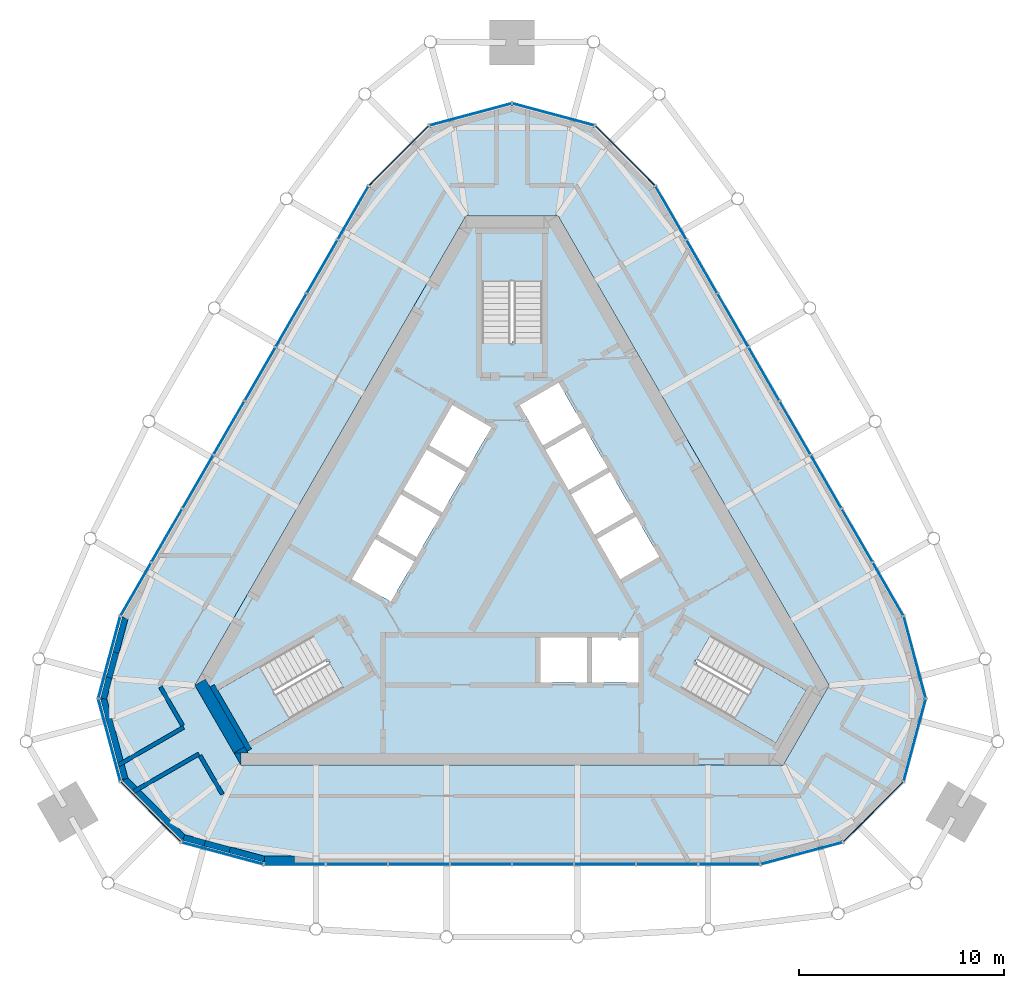
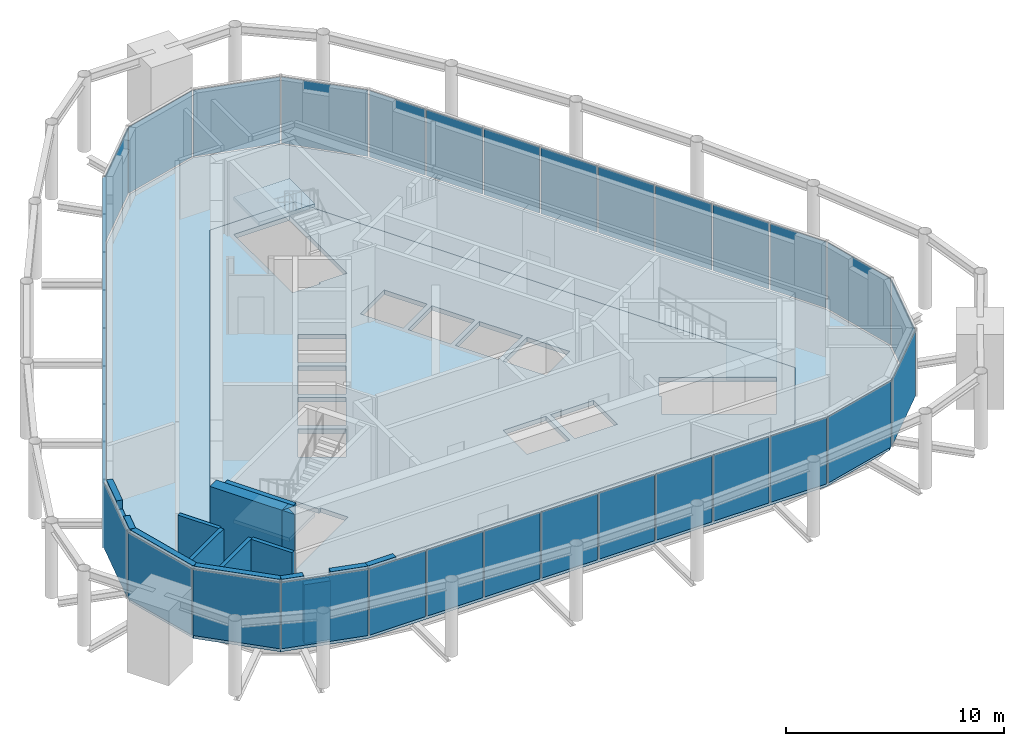
# One storey, part 6 of 11: 36 plates, 17 walls, 5 slabs, 9 elements without a shape of their own.
"""IFC4 building model written with IfcOpenShell, lengths in metres."""

from ifc_helpers import new_model, si_unit, direction, frame, frame_2d, origin, origin_2d, place, context, subcontext, project, spatial, polyline, rectangle, outline, extrude, material, layer, layer_set, type_object, element, aggregate, save


model = new_model("IFC4")

# Units and contexts
model_context = context("Model", 3, precision=1e-05, world=origin(), true_north=direction((0.0, 1.0)))
body_context = subcontext(model_context, "Body", "Model", "MODEL_VIEW")
ifc_project = project(units=[si_unit("LENGTHUNIT", "METRE"), si_unit("AREAUNIT", "SQUARE_METRE"), si_unit("VOLUMEUNIT", "CUBIC_METRE"), si_unit("PLANEANGLEUNIT", "RADIAN"), si_unit("MASSUNIT", "GRAM", prefix="KILO")], contexts=[model_context])

# Site, building, storey
site_placement = place(None, origin())
site = spatial("IfcSite", under=ifc_project, at=site_placement, CompositionType="ELEMENT")
building_placement = place(site_placement, origin())
building = spatial("IfcBuilding", under=site, at=building_placement, Name="Mestral Congress Tower", CompositionType="ELEMENT")
storey_placement = place(building_placement, frame((0.0, 0.0, 344.39990234375)))
storey = spatial("IfcBuildingStorey", under=building, at=storey_placement, Name="L80", CompositionType="ELEMENT", Elevation=344.39990234375)

# Slab
ifc_material_1 = material(Name="Concrete C60/75", Category="concrete")
ifc_layer_1 = layer(ifc_material_1, 0.25)
ifc_layer_set_1 = layer_set([ifc_layer_1], Name="Concrete C60/75")
slab_type_1 = type_object("IfcSlabType", Name="Core floor slab RC 250", PredefinedType="FLOOR", material=ifc_layer_set_1)
placement_1 = place(storey_placement, frame((0.0, 0.0, -0.25)))
element("IfcSlab", 1, at=placement_1, inside=storey, type_object=slab_type_1, Name="L80 core floor", PredefinedType="FLOOR", context=body_context, shape_type="SweptSolid", body=[
    extrude(outline(polyline([(13.250244140625, -10.25), (-13.250244140625, -10.25), (-15.501953125, -6.35009765625), (-2.251708984375, 16.60009765625), (2.251708984375, 16.60009765625), (15.501953125, -6.35009765625), (13.250244140625, -10.25)]), holes=[polyline([(-14.37744140625, -6.59765625), (-12.90234375, -9.15234375), (-8.234619140625, -6.45751953125), (-8.971923828125, -5.179931640625), (-9.0673828125, -5.235107421875), (-9.8046875, -3.95751953125), (-14.37744140625, -6.59765625)]), polyline([(-5.921630859375, -2.256591796875), (-4.78662109375, -0.29052734375), (-6.69189453125, 0.809326171875), (-7.826904296875, -1.156494140625), (-5.921630859375, -2.256591796875)]), polyline([(-4.66162109375, -0.07421875), (-3.526611328125, 1.8916015625), (-5.431884765625, 2.99169921875), (-6.56689453125, 1.02587890625), (-4.66162109375, -0.07421875)]), polyline([(-2.2666015625, 4.07421875), (-4.171875, 5.174072265625), (-5.306884765625, 3.208251953125), (-3.401611328125, 2.1083984375), (-2.2666015625, 4.07421875)]), polyline([(-2.1416015625, 4.29052734375), (-1.006591796875, 6.256591796875), (-2.911865234375, 7.3564453125), (-4.046875, 5.390625), (-2.1416015625, 4.29052734375)]), polyline([(0.376708984375, 7.34765625), (1.51171875, 5.3818359375), (3.4169921875, 6.481689453125), (2.281982421875, 8.44775390625), (0.376708984375, 7.34765625)]), polyline([(1.47509765625, 15.75), (-1.47509765625, 15.75), (-1.47509765625, 10.360107421875), (0.0, 10.360107421875), (0.0, 10.469970703125), (1.47509765625, 10.469970703125), (1.47509765625, 15.75)]), polyline([(8.329833984375, -6.512451171875), (12.90234375, -9.15234375), (14.37744140625, -6.59765625), (9.70947265625, -3.902587890625), (8.971923828125, -5.179931640625), (9.0673828125, -5.235107421875), (8.329833984375, -6.512451171875)]), polyline([(3.655029296875, -4.0), (1.385009765625, -4.0), (1.385009765625, -6.199951171875), (3.655029296875, -6.199951171875), (3.655029296875, -4.0)]), polyline([(6.175048828125, -4.0), (3.905029296875, -4.0), (3.905029296875, -6.199951171875), (6.175048828125, -6.199951171875), (6.175048828125, -4.0)]), polyline([(4.156494140625, 0.800537109375), (5.29150390625, -1.165283203125), (7.197021484375, -0.065185546875), (6.06201171875, 1.900634765625), (4.156494140625, 0.800537109375)]), polyline([(2.896484375, 2.98291015625), (4.031494140625, 1.01708984375), (5.93701171875, 2.1171875), (4.802001953125, 4.0830078125), (2.896484375, 2.98291015625)]), polyline([(1.63671875, 5.165283203125), (2.771484375, 3.199462890625), (4.677001953125, 4.29931640625), (3.5419921875, 6.265380859375), (1.63671875, 5.165283203125)])]), origin(), (0.0, 0.0, 1.0), 0.25),
])

# Stair, slab
stair_type = type_object("IfcStairType", Name="Exit stair 1400", PredefinedType="HALF_TURN_STAIR", material=ifc_material_1)
placement_2 = place(storey_placement, origin())
stair_1 = element("IfcStair", 2, at=placement_2, inside=storey, type_object=stair_type, Name="L80 ST1", PredefinedType="HALF_TURN_STAIR")
ifc_layer_2 = layer(ifc_material_1, 0.199951171875)
ifc_layer_set_2 = layer_set([ifc_layer_2], Name="Concrete C60/75")
slab_type_2 = type_object("IfcSlabType", Name="Exit stair landing 200", PredefinedType="LANDING", material=ifc_layer_set_2)
placement_3 = place(storey_placement, frame((0.0, 0.0, 1.900146484375)))
slab_2 = element("IfcSlab", 3, at=placement_3, type_object=slab_type_2, Name="ST1 landing 1", PredefinedType="LANDING", context=body_context, shape_type="SweptSolid", body=[
    extrude(outline(polyline([(10.879638671875, -7.99609375), (12.364501953125, -5.424072265625), (14.39111328125, -6.593994140625), (12.906005859375, -9.166015625), (10.879638671875, -7.99609375)])), origin(), (0.0, 0.0, 1.0), 0.199951171875),
])
aggregate(stair_1, [slab_2])

stair_2 = element("IfcStair", 4, at=placement_2, inside=storey, type_object=stair_type, Name="L80 ST2", PredefinedType="HALF_TURN_STAIR")
slab_3 = element("IfcSlab", 5, at=placement_3, type_object=slab_type_2, Name="ST2 landing 1", PredefinedType="LANDING", context=body_context, shape_type="SweptSolid", body=[
    extrude(outline(polyline([(1.485107421875, 13.419921875), (-1.485107421875, 13.419921875), (-1.485107421875, 15.760009765625), (1.485107421875, 15.760009765625), (1.485107421875, 13.419921875)])), origin(), (0.0, 0.0, 1.0), 0.199951171875),
])
aggregate(stair_2, [slab_3])

stair_3 = element("IfcStair", 6, at=placement_2, inside=storey, type_object=stair_type, Name="L80 ST3", PredefinedType="HALF_TURN_STAIR")
slab_4 = element("IfcSlab", 7, at=placement_3, type_object=slab_type_2, Name="ST3 landing 1", PredefinedType="LANDING", context=body_context, shape_type="SweptSolid", body=[
    extrude(outline(polyline([(-12.364501953125, -5.424072265625), (-10.879638671875, -7.99609375), (-12.906005859375, -9.166015625), (-14.39111328125, -6.593994140625), (-12.364501953125, -5.424072265625)])), origin(), (0.0, 0.0, 1.0), 0.199951171875),
])
aggregate(stair_3, [slab_4])

# Curtain wall, plates
ifc_material_2 = material(Name="Glazed ceramic", Category="masonry")
curtain_wall_type = type_object("IfcCurtainWallType", Name="Facade plant louvre screen", PredefinedType="USERDEFINED", material=ifc_material_2)
curtain_wall_1 = element("IfcCurtainWall", 8, at=placement_2, inside=storey, type_object=curtain_wall_type, Name="Plant louvre screen corner 1", ObjectType="CURTAIN WALL", PredefinedType="USERDEFINED")
ifc_layer_3 = layer(ifc_material_2, 0.0400390625)
ifc_layer_set_3 = layer_set([ifc_layer_3], Name="Glazed ceramic")
plate_type = type_object("IfcPlateType", Name="Facade plant louvre screen panel", PredefinedType="CURTAIN_PANEL", material=ifc_layer_set_3)
plate_1_placement = place(storey_placement, frame((14.156982421875, -14.558837890625, 0.0), z_axis=(0.0, 0.0, 1.0), x_axis=(0.965925826289, 0.258819045103, 0.0)))
plate_1 = element("IfcPlate", 9, at=plate_1_placement, type_object=plate_type, Name="Ceramic louvre panel", PredefinedType="CURTAIN_PANEL", context=body_context, shape_type="SweptSolid", body=[
    extrude(rectangle(XDim=4.10107421875, YDim=0.0400390625, at=origin_2d()), origin(), (0.0, 0.0, 1.0), 3.699951171875),
])
plate_2_placement = place(storey_placement, frame((17.6591796875, -12.534912109375, 0.0), z_axis=(0.0, 0.0, 1.0), x_axis=(0.707106781187, 0.707106781187, 0.0)))
plate_2 = element("IfcPlate", 10, at=plate_2_placement, type_object=plate_type, Name="Ceramic louvre panel", PredefinedType="CURTAIN_PANEL", context=body_context, shape_type="SweptSolid", body=[
    extrude(rectangle(XDim=4.11474609375, YDim=0.0400390625, at=origin_2d()), origin(), (0.0, 0.0, 1.0), 3.699951171875),
])
plate_3_placement = place(storey_placement, frame((19.68505859375, -9.02587890625, 0.0), z_axis=(0.0, 0.0, 1.0), x_axis=(0.258819045103, 0.965925826289, 0.0)))
plate_3 = element("IfcPlate", 11, at=plate_3_placement, type_object=plate_type, Name="Ceramic louvre panel", PredefinedType="CURTAIN_PANEL", context=body_context, shape_type="SweptSolid", body=[
    extrude(rectangle(XDim=4.11474609375, YDim=0.0400390625, at=origin_2d()), origin(), (0.0, 0.0, 1.0), 3.699951171875),
])
plate_4_placement = place(storey_placement, frame((19.68701171875, -4.980712890625, 0.0), z_axis=(0.0, 0.0, 1.0), x_axis=(-0.258819045103, 0.965925826289, 0.0)))
plate_4 = element("IfcPlate", 12, at=plate_4_placement, type_object=plate_type, Name="Ceramic louvre panel", PredefinedType="CURTAIN_PANEL", context=body_context, shape_type="SweptSolid", body=[
    extrude(rectangle(XDim=4.10107421875, YDim=0.0400390625, at=origin_2d()), origin(), (0.0, 0.0, 1.0), 3.699951171875),
])
aggregate(curtain_wall_1, [plate_1, plate_2, plate_3, plate_4])

curtain_wall_2 = element("IfcCurtainWall", 13, at=placement_2, inside=storey, type_object=curtain_wall_type, Name="Plant louvre screen side 2", ObjectType="CURTAIN WALL", PredefinedType="USERDEFINED")
plate_5_placement = place(storey_placement, frame((18.38720703125, -1.6474609375, 0.0), z_axis=(0.0, 0.0, 1.0), x_axis=(-0.500001511499, 0.866024531118, 0.0)))
plate_5 = element("IfcPlate", 14, at=plate_5_placement, type_object=plate_type, Name="Ceramic louvre panel", PredefinedType="CURTAIN_PANEL", context=body_context, shape_type="SweptSolid", body=[
    extrude(rectangle(XDim=2.954345703125, YDim=0.0400390625, at=origin_2d()), origin(), (0.0, 0.0, 1.0), 3.699951171875),
])
plate_6_placement = place(storey_placement, frame((16.8701171875, 0.98046875, 0.0), z_axis=(0.0, 0.0, 1.0), x_axis=(-0.500001511499, 0.866024531118, 0.0)))
plate_6 = element("IfcPlate", 15, at=plate_6_placement, type_object=plate_type, Name="Ceramic louvre panel", PredefinedType="CURTAIN_PANEL", context=body_context, shape_type="SweptSolid", body=[
    extrude(rectangle(XDim=2.954345703125, YDim=0.0400390625, at=origin_2d()), origin(), (0.0, 0.0, 1.0), 3.699951171875),
])
plate_7_placement = place(storey_placement, frame((15.352783203125, 3.608154296875, 0.0), z_axis=(0.0, 0.0, 1.0), x_axis=(-0.500001511499, 0.866024531118, 0.0)))
plate_7 = element("IfcPlate", 16, at=plate_7_placement, type_object=plate_type, Name="Ceramic louvre panel", PredefinedType="CURTAIN_PANEL", context=body_context, shape_type="SweptSolid", body=[
    extrude(rectangle(XDim=2.954345703125, YDim=0.0400390625, at=origin_2d()), origin(), (0.0, 0.0, 1.0), 3.699951171875),
])
plate_8_placement = place(storey_placement, frame((13.835693359375, 6.236083984375, 0.0), z_axis=(0.0, 0.0, 1.0), x_axis=(-0.500001511499, 0.866024531118, 0.0)))
plate_8 = element("IfcPlate", 17, at=plate_8_placement, type_object=plate_type, Name="Ceramic louvre panel", PredefinedType="CURTAIN_PANEL", context=body_context, shape_type="SweptSolid", body=[
    extrude(rectangle(XDim=2.954345703125, YDim=0.0400390625, at=origin_2d()), origin(), (0.0, 0.0, 1.0), 3.699951171875),
])
plate_9_placement = place(storey_placement, frame((12.318359375, 8.864013671875, 0.0), z_axis=(0.0, 0.0, 1.0), x_axis=(-0.500001511499, 0.866024531118, 0.0)))
plate_9 = element("IfcPlate", 18, at=plate_9_placement, type_object=plate_type, Name="Ceramic louvre panel", PredefinedType="CURTAIN_PANEL", context=body_context, shape_type="SweptSolid", body=[
    extrude(rectangle(XDim=2.954345703125, YDim=0.0400390625, at=origin_2d()), origin(), (0.0, 0.0, 1.0), 3.699951171875),
])
plate_10_placement = place(storey_placement, frame((10.80126953125, 11.49169921875, 0.0), z_axis=(0.0, 0.0, 1.0), x_axis=(-0.500001511499, 0.866024531118, 0.0)))
plate_10 = element("IfcPlate", 19, at=plate_10_placement, type_object=plate_type, Name="Ceramic louvre panel", PredefinedType="CURTAIN_PANEL", context=body_context, shape_type="SweptSolid", body=[
    extrude(rectangle(XDim=2.954345703125, YDim=0.0400390625, at=origin_2d()), origin(), (0.0, 0.0, 1.0), 3.699951171875),
])
plate_11_placement = place(storey_placement, frame((9.283935546875, 14.11962890625, 0.0), z_axis=(0.0, 0.0, 1.0), x_axis=(-0.500001511499, 0.866024531118, 0.0)))
plate_11 = element("IfcPlate", 20, at=plate_11_placement, type_object=plate_type, Name="Ceramic louvre panel", PredefinedType="CURTAIN_PANEL", context=body_context, shape_type="SweptSolid", body=[
    extrude(rectangle(XDim=2.954345703125, YDim=0.0400390625, at=origin_2d()), origin(), (0.0, 0.0, 1.0), 3.699951171875),
])
plate_12_placement = place(storey_placement, frame((7.766845703125, 16.74755859375, 0.0), z_axis=(0.0, 0.0, 1.0), x_axis=(-0.500001511499, 0.866024531118, 0.0)))
plate_12 = element("IfcPlate", 21, at=plate_12_placement, type_object=plate_type, Name="Ceramic louvre panel", PredefinedType="CURTAIN_PANEL", context=body_context, shape_type="SweptSolid", body=[
    extrude(rectangle(XDim=2.954345703125, YDim=0.0400390625, at=origin_2d()), origin(), (0.0, 0.0, 1.0), 3.699951171875),
])
aggregate(curtain_wall_2, [plate_5, plate_6, plate_7, plate_8, plate_9, plate_10, plate_11, plate_12])

curtain_wall_3 = element("IfcCurtainWall", 22, at=placement_2, inside=storey, type_object=curtain_wall_type, Name="Plant louvre screen corner 3", ObjectType="CURTAIN WALL", PredefinedType="USERDEFINED")
plate_13_placement = place(storey_placement, frame((5.530029296875, 19.53955078125, 0.0), z_axis=(0.0, 0.0, 1.0), x_axis=(-0.707106781187, 0.707106781187, 0.0)))
plate_13 = element("IfcPlate", 23, at=plate_13_placement, type_object=plate_type, Name="Ceramic louvre panel", PredefinedType="CURTAIN_PANEL", context=body_context, shape_type="SweptSolid", body=[
    extrude(rectangle(XDim=4.10107421875, YDim=0.0400390625, at=origin_2d()), origin(), (0.0, 0.0, 1.0), 3.699951171875),
])
plate_14_placement = place(storey_placement, frame((2.02587890625, 21.560791015625, 0.0), z_axis=(0.0, 0.0, 1.0), x_axis=(-0.965925826289, 0.258819045103, 0.0)))
plate_14 = element("IfcPlate", 24, at=plate_14_placement, type_object=plate_type, Name="Ceramic louvre panel", PredefinedType="CURTAIN_PANEL", context=body_context, shape_type="SweptSolid", body=[
    extrude(rectangle(XDim=4.11474609375, YDim=0.0400390625, at=origin_2d()), origin(), (0.0, 0.0, 1.0), 3.699951171875),
])
plate_15_placement = place(storey_placement, frame((-2.02587890625, 21.560791015625, 0.0), z_axis=(0.0, 0.0, 1.0), x_axis=(-0.965925826289, -0.258819045103, 0.0)))
plate_15 = element("IfcPlate", 25, at=plate_15_placement, type_object=plate_type, Name="Ceramic louvre panel", PredefinedType="CURTAIN_PANEL", context=body_context, shape_type="SweptSolid", body=[
    extrude(rectangle(XDim=4.11474609375, YDim=0.0400390625, at=origin_2d()), origin(), (0.0, 0.0, 1.0), 3.699951171875),
])
plate_16_placement = place(storey_placement, frame((-5.530029296875, 19.53955078125, 0.0), z_axis=(0.0, 0.0, 1.0), x_axis=(-0.707106781187, -0.707106781187, 0.0)))
plate_16 = element("IfcPlate", 26, at=plate_16_placement, type_object=plate_type, Name="Ceramic louvre panel", PredefinedType="CURTAIN_PANEL", context=body_context, shape_type="SweptSolid", body=[
    extrude(rectangle(XDim=4.10107421875, YDim=0.0400390625, at=origin_2d()), origin(), (0.0, 0.0, 1.0), 3.699951171875),
])
aggregate(curtain_wall_3, [plate_13, plate_14, plate_15, plate_16])

curtain_wall_4 = element("IfcCurtainWall", 27, at=placement_2, inside=storey, type_object=curtain_wall_type, Name="Plant louvre screen side 4", ObjectType="CURTAIN WALL", PredefinedType="USERDEFINED")
plate_17_placement = place(storey_placement, frame((-7.766845703125, 16.74755859375, 0.0), z_axis=(0.0, 0.0, 1.0), x_axis=(-0.500001511499, -0.866024531118, 0.0)))
plate_17 = element("IfcPlate", 28, at=plate_17_placement, type_object=plate_type, Name="Ceramic louvre panel", PredefinedType="CURTAIN_PANEL", context=body_context, shape_type="SweptSolid", body=[
    extrude(rectangle(XDim=2.954345703125, YDim=0.0400390625, at=origin_2d()), origin(), (0.0, 0.0, 1.0), 3.699951171875),
])
plate_18_placement = place(storey_placement, frame((-9.283935546875, 14.11962890625, 0.0), z_axis=(0.0, 0.0, 1.0), x_axis=(-0.500001511499, -0.866024531118, 0.0)))
plate_18 = element("IfcPlate", 29, at=plate_18_placement, type_object=plate_type, Name="Ceramic louvre panel", PredefinedType="CURTAIN_PANEL", context=body_context, shape_type="SweptSolid", body=[
    extrude(rectangle(XDim=2.954345703125, YDim=0.0400390625, at=origin_2d()), origin(), (0.0, 0.0, 1.0), 3.699951171875),
])
plate_19_placement = place(storey_placement, frame((-10.80126953125, 11.49169921875, 0.0), z_axis=(0.0, 0.0, 1.0), x_axis=(-0.500001511499, -0.866024531118, 0.0)))
plate_19 = element("IfcPlate", 30, at=plate_19_placement, type_object=plate_type, Name="Ceramic louvre panel", PredefinedType="CURTAIN_PANEL", context=body_context, shape_type="SweptSolid", body=[
    extrude(rectangle(XDim=2.954345703125, YDim=0.0400390625, at=origin_2d()), origin(), (0.0, 0.0, 1.0), 3.699951171875),
])
plate_20_placement = place(storey_placement, frame((-12.318359375, 8.864013671875, 0.0), z_axis=(0.0, 0.0, 1.0), x_axis=(-0.500001511499, -0.866024531118, 0.0)))
plate_20 = element("IfcPlate", 31, at=plate_20_placement, type_object=plate_type, Name="Ceramic louvre panel", PredefinedType="CURTAIN_PANEL", context=body_context, shape_type="SweptSolid", body=[
    extrude(rectangle(XDim=2.954345703125, YDim=0.0400390625, at=origin_2d()), origin(), (0.0, 0.0, 1.0), 3.699951171875),
])
plate_21_placement = place(storey_placement, frame((-13.835693359375, 6.236083984375, 0.0), z_axis=(0.0, 0.0, 1.0), x_axis=(-0.500001511499, -0.866024531118, 0.0)))
plate_21 = element("IfcPlate", 32, at=plate_21_placement, type_object=plate_type, Name="Ceramic louvre panel", PredefinedType="CURTAIN_PANEL", context=body_context, shape_type="SweptSolid", body=[
    extrude(rectangle(XDim=2.954345703125, YDim=0.0400390625, at=origin_2d()), origin(), (0.0, 0.0, 1.0), 3.699951171875),
])
plate_22_placement = place(storey_placement, frame((-15.352783203125, 3.608154296875, 0.0), z_axis=(0.0, 0.0, 1.0), x_axis=(-0.500001511499, -0.866024531118, 0.0)))
plate_22 = element("IfcPlate", 33, at=plate_22_placement, type_object=plate_type, Name="Ceramic louvre panel", PredefinedType="CURTAIN_PANEL", context=body_context, shape_type="SweptSolid", body=[
    extrude(rectangle(XDim=2.954345703125, YDim=0.0400390625, at=origin_2d()), origin(), (0.0, 0.0, 1.0), 3.699951171875),
])
plate_23_placement = place(storey_placement, frame((-16.8701171875, 0.98046875, 0.0), z_axis=(0.0, 0.0, 1.0), x_axis=(-0.500001511499, -0.866024531118, 0.0)))
plate_23 = element("IfcPlate", 34, at=plate_23_placement, type_object=plate_type, Name="Ceramic louvre panel", PredefinedType="CURTAIN_PANEL", context=body_context, shape_type="SweptSolid", body=[
    extrude(rectangle(XDim=2.954345703125, YDim=0.0400390625, at=origin_2d()), origin(), (0.0, 0.0, 1.0), 3.699951171875),
])
plate_24_placement = place(storey_placement, frame((-18.38720703125, -1.6474609375, 0.0), z_axis=(0.0, 0.0, 1.0), x_axis=(-0.500001511499, -0.866024531118, 0.0)))
plate_24 = element("IfcPlate", 35, at=plate_24_placement, type_object=plate_type, Name="Ceramic louvre panel", PredefinedType="CURTAIN_PANEL", context=body_context, shape_type="SweptSolid", body=[
    extrude(rectangle(XDim=2.954345703125, YDim=0.0400390625, at=origin_2d()), origin(), (0.0, 0.0, 1.0), 3.699951171875),
])
aggregate(curtain_wall_4, [plate_17, plate_18, plate_19, plate_20, plate_21, plate_22, plate_23, plate_24])

curtain_wall_5 = element("IfcCurtainWall", 36, at=placement_2, inside=storey, type_object=curtain_wall_type, Name="Plant louvre screen corner 5", ObjectType="CURTAIN WALL", PredefinedType="USERDEFINED")
plate_25_placement = place(storey_placement, frame((-19.68701171875, -4.980712890625, 0.0), z_axis=(0.0, 0.0, 1.0), x_axis=(-0.258819045103, -0.965925826289, 0.0)))
plate_25 = element("IfcPlate", 37, at=plate_25_placement, type_object=plate_type, Name="Ceramic louvre panel", PredefinedType="CURTAIN_PANEL", context=body_context, shape_type="SweptSolid", body=[
    extrude(rectangle(XDim=4.10107421875, YDim=0.0400390625, at=origin_2d()), origin(), (0.0, 0.0, 1.0), 3.699951171875),
])
plate_26_placement = place(storey_placement, frame((-19.68505859375, -9.02587890625, 0.0), z_axis=(0.0, 0.0, 1.0), x_axis=(0.258819045103, -0.965925826289, 0.0)))
plate_26 = element("IfcPlate", 38, at=plate_26_placement, type_object=plate_type, Name="Ceramic louvre panel", PredefinedType="CURTAIN_PANEL", context=body_context, shape_type="SweptSolid", body=[
    extrude(rectangle(XDim=4.11474609375, YDim=0.0400390625, at=origin_2d()), origin(), (0.0, 0.0, 1.0), 3.699951171875),
])
plate_27_placement = place(storey_placement, frame((-17.6591796875, -12.534912109375, 0.0), z_axis=(0.0, 0.0, 1.0), x_axis=(0.707106781187, -0.707106781187, 0.0)))
plate_27 = element("IfcPlate", 39, at=plate_27_placement, type_object=plate_type, Name="Ceramic louvre panel", PredefinedType="CURTAIN_PANEL", context=body_context, shape_type="SweptSolid", body=[
    extrude(rectangle(XDim=4.11474609375, YDim=0.0400390625, at=origin_2d()), origin(), (0.0, 0.0, 1.0), 3.699951171875),
])
plate_28_placement = place(storey_placement, frame((-14.156982421875, -14.558837890625, 0.0), z_axis=(0.0, 0.0, 1.0), x_axis=(0.965925826289, -0.258819045103, 0.0)))
plate_28 = element("IfcPlate", 40, at=plate_28_placement, type_object=plate_type, Name="Ceramic louvre panel", PredefinedType="CURTAIN_PANEL", context=body_context, shape_type="SweptSolid", body=[
    extrude(rectangle(XDim=4.10107421875, YDim=0.0400390625, at=origin_2d()), origin(), (0.0, 0.0, 1.0), 3.699951171875),
])
aggregate(curtain_wall_5, [plate_25, plate_26, plate_27, plate_28])

curtain_wall_6 = element("IfcCurtainWall", 41, at=placement_2, inside=storey, type_object=curtain_wall_type, Name="Plant louvre screen side 6", ObjectType="CURTAIN WALL", PredefinedType="USERDEFINED")
plate_29_placement = place(storey_placement, frame((-10.620361328125, -15.10009765625, 0.0), z_axis=(0.0, 0.0, 1.0), x_axis=(1.0, 0.0, 0.0)))
plate_29 = element("IfcPlate", 42, at=plate_29_placement, type_object=plate_type, Name="Ceramic louvre panel", PredefinedType="CURTAIN_PANEL", context=body_context, shape_type="SweptSolid", body=[
    extrude(rectangle(XDim=2.954345703125, YDim=0.0400390625, at=origin_2d()), origin(), (0.0, 0.0, 1.0), 3.699951171875),
])
plate_30_placement = place(storey_placement, frame((-7.5859375, -15.10009765625, 0.0), z_axis=(0.0, 0.0, 1.0), x_axis=(1.0, 0.0, 0.0)))
plate_30 = element("IfcPlate", 43, at=plate_30_placement, type_object=plate_type, Name="Ceramic louvre panel", PredefinedType="CURTAIN_PANEL", context=body_context, shape_type="SweptSolid", body=[
    extrude(rectangle(XDim=2.954345703125, YDim=0.0400390625, at=origin_2d()), origin(), (0.0, 0.0, 1.0), 3.699951171875),
])
plate_31_placement = place(storey_placement, frame((-4.551513671875, -15.10009765625, 0.0), z_axis=(0.0, 0.0, 1.0), x_axis=(1.0, 0.0, 0.0)))
plate_31 = element("IfcPlate", 44, at=plate_31_placement, type_object=plate_type, Name="Ceramic louvre panel", PredefinedType="CURTAIN_PANEL", context=body_context, shape_type="SweptSolid", body=[
    extrude(rectangle(XDim=2.954345703125, YDim=0.0400390625, at=origin_2d()), origin(), (0.0, 0.0, 1.0), 3.699951171875),
])
plate_32_placement = place(storey_placement, frame((-1.51708984375, -15.10009765625, 0.0), z_axis=(0.0, 0.0, 1.0), x_axis=(1.0, 0.0, 0.0)))
plate_32 = element("IfcPlate", 45, at=plate_32_placement, type_object=plate_type, Name="Ceramic louvre panel", PredefinedType="CURTAIN_PANEL", context=body_context, shape_type="SweptSolid", body=[
    extrude(rectangle(XDim=2.954345703125, YDim=0.0400390625, at=origin_2d()), origin(), (0.0, 0.0, 1.0), 3.699951171875),
])
plate_33_placement = place(storey_placement, frame((1.51708984375, -15.10009765625, 0.0), z_axis=(0.0, 0.0, 1.0), x_axis=(1.0, 0.0, 0.0)))
plate_33 = element("IfcPlate", 46, at=plate_33_placement, type_object=plate_type, Name="Ceramic louvre panel", PredefinedType="CURTAIN_PANEL", context=body_context, shape_type="SweptSolid", body=[
    extrude(rectangle(XDim=2.954345703125, YDim=0.0400390625, at=origin_2d()), origin(), (0.0, 0.0, 1.0), 3.699951171875),
])
plate_34_placement = place(storey_placement, frame((4.551513671875, -15.10009765625, 0.0), z_axis=(0.0, 0.0, 1.0), x_axis=(1.0, 0.0, 0.0)))
plate_34 = element("IfcPlate", 47, at=plate_34_placement, type_object=plate_type, Name="Ceramic louvre panel", PredefinedType="CURTAIN_PANEL", context=body_context, shape_type="SweptSolid", body=[
    extrude(rectangle(XDim=2.954345703125, YDim=0.0400390625, at=origin_2d()), origin(), (0.0, 0.0, 1.0), 3.699951171875),
])
plate_35_placement = place(storey_placement, frame((7.5859375, -15.10009765625, 0.0), z_axis=(0.0, 0.0, 1.0), x_axis=(1.0, 0.0, 0.0)))
plate_35 = element("IfcPlate", 48, at=plate_35_placement, type_object=plate_type, Name="Ceramic louvre panel", PredefinedType="CURTAIN_PANEL", context=body_context, shape_type="SweptSolid", body=[
    extrude(rectangle(XDim=2.954345703125, YDim=0.0400390625, at=origin_2d()), origin(), (0.0, 0.0, 1.0), 3.699951171875),
])
plate_36_placement = place(storey_placement, frame((10.620361328125, -15.10009765625, 0.0), z_axis=(0.0, 0.0, 1.0), x_axis=(1.0, 0.0, 0.0)))
plate_36 = element("IfcPlate", 49, at=plate_36_placement, type_object=plate_type, Name="Ceramic louvre panel", PredefinedType="CURTAIN_PANEL", context=body_context, shape_type="SweptSolid", body=[
    extrude(rectangle(XDim=2.954345703125, YDim=0.0400390625, at=origin_2d()), origin(), (0.0, 0.0, 1.0), 3.699951171875),
])
aggregate(curtain_wall_6, [plate_29, plate_30, plate_31, plate_32, plate_33, plate_34, plate_35, plate_36])

# Slab
ifc_material_3 = material(Name="Concrete C35/45", Category="concrete")
ifc_layer_4 = layer(ifc_material_3, 0.25)
ifc_layer_set_4 = layer_set([ifc_layer_4], Name="Concrete C35/45")
slab_type_3 = type_object("IfcSlabType", Name="Plant floor slab 250", PredefinedType="FLOOR", material=ifc_layer_set_4)
element("IfcSlab", 50, at=placement_1, inside=storey, type_object=slab_type_3, Name="SL-L80-PLANT", PredefinedType="FLOOR", context=body_context, shape_type="SweptSolid", body=[
    extrude(outline(polyline([(12.12451171875, -15.0), (16.12451171875, -13.92822265625), (19.052490234375, -11.0), (20.12451171875, -7.0), (19.052490234375, -3.0), (6.92822265625, 18.0), (4.0, 20.92822265625), (0.0, 22.0), (-4.0, 20.92822265625), (-6.92822265625, 18.0), (-19.052490234375, -3.0), (-20.12451171875, -7.0), (-19.052490234375, -11.0), (-16.12451171875, -13.92822265625), (-12.12451171875, -15.0), (12.12451171875, -15.0)]), holes=[polyline([(-2.251708984375, 16.60009765625), (-15.501953125, -6.35009765625), (-13.250244140625, -10.25), (13.250244140625, -10.25), (15.501953125, -6.35009765625), (2.251708984375, 16.60009765625), (-2.251708984375, 16.60009765625)])]), origin(), (0.0, 0.0, 1.0), 0.25),
])

# Walls
ifc_layer_5 = layer(ifc_material_1, 0.60009765625)
ifc_layer_set_5 = layer_set([ifc_layer_5], Name="Concrete C60/75")
wall_type_1 = type_object("IfcWallType", Name="Core wall RC 600", PredefinedType="SOLIDWALL", material=ifc_layer_set_5)
element("IfcWall", 51, at=placement_2, inside=storey, type_object=wall_type_1, Name="L80 core wall", PredefinedType="SOLIDWALL", context=body_context, shape_type="SweptSolid", body=[
    extrude(outline(polyline([(-13.5966796875, -9.64990234375), (-13.258544921875, -9.64990234375), (-13.258544921875, -10.235595703125), (-13.5966796875, -9.64990234375)])), origin(), (0.0, 0.0, 1.0), 4.2001953125),
])
wall_2_placement = place(storey_placement, frame((-13.33349609375, -9.505615234375, 0.0), z_axis=(0.0, 0.0, 1.0), x_axis=(-0.500019073792, 0.866014391245, 0.0)))
element("IfcWall", 52, at=wall_2_placement, inside=storey, type_object=wall_type_1, Name="L80 core wall", PredefinedType="SOLIDWALL", context=body_context, shape_type="SweptSolid", body=[
    extrude(rectangle(XDim=3.823486328125, YDim=0.60009765625, at=frame_2d((1.91162109375, 0.0))), origin(), (0.0, 0.0, 1.0), 4.2001953125),
])
element("IfcWall", 53, at=placement_2, inside=storey, type_object=wall_type_1, Name="L80 core wall", PredefinedType="SOLIDWALL", context=body_context, shape_type="SweptSolid", body=[
    extrude(outline(polyline([(-12.90380859375, -9.64990234375), (-13.579833984375, -9.64990234375), (-13.07275390625, -9.357421875), (-12.90380859375, -9.64990234375)])), origin(), (0.0, 0.0, 1.0), 4.2001953125),
])
ifc_material_4 = material(Name="Precast concrete C40/50 with limestone facing", Category="masonry")
ifc_layer_6 = layer(ifc_material_4, 0.300048828125)
ifc_layer_set_6 = layer_set([ifc_layer_6], Name="Precast concrete C40/50 with limestone facing")
wall_type_2 = type_object("IfcWallType", Name="Crown plant block wall 300", PredefinedType="SOLIDWALL", material=ifc_layer_set_6)
wall_4_placement = place(storey_placement, frame((-18.912841796875, -3.057861328125, 0.0), z_axis=(0.0, 0.0, 1.0), x_axis=(-0.258824282894, -0.965924422812, 0.0)))
element("IfcWall", 54, at=wall_4_placement, inside=storey, type_object=wall_type_2, Name="Plant block wall 11", PredefinedType="SOLIDWALL", context=body_context, shape_type="SweptSolid", body=[
    extrude(rectangle(XDim=1.752685546875, YDim=0.300048828125, at=frame_2d((0.87646484375, 0.0))), origin(), (0.0, 0.0, 1.0), 3.800048828125),
])
wall_5_placement = place(storey_placement, frame((-19.693603515625, -5.9716796875, 0.0), z_axis=(0.0, 0.0, 1.0), x_axis=(-0.258690231517, -0.96596033258, 0.0)))
element("IfcWall", 55, at=wall_5_placement, inside=storey, type_object=wall_type_2, Name="Plant block wall 11", PredefinedType="SOLIDWALL", context=body_context, shape_type="SweptSolid", body=[
    extrude(rectangle(XDim=1.064453125, YDim=0.300048828125, at=frame_2d((0.5322265625, 0.0))), origin(), (0.0, 0.0, 1.0), 3.800048828125),
])
for number, where, z_axis, x_axis, name in (
    (56, (-19.968994140625, -7.0, 0.0), (0.0, 0.0, 1.0), (0.258770144726, -0.965938927779, 0.0), "Plant block wall 12"),
    (57, (-18.918212890625, -10.92236328125, 0.0), (0.0, 0.0, 1.0), (0.707106781187, -0.707106781187, 0.0), "Plant block wall 13"),
):
    element("IfcWall", number, at=place(storey_placement, frame(where, z_axis=z_axis, x_axis=x_axis)), inside=storey, type_object=wall_type_2, Name=name, PredefinedType="SOLIDWALL", context=body_context, shape_type="SweptSolid", body=[
        extrude(rectangle(XDim=4.060791015625, YDim=0.300048828125, at=frame_2d((2.0302734375, 0.0))), origin(), (0.0, 0.0, 1.0), 3.800048828125),
    ])
wall_6_placement = place(storey_placement, frame((-16.046875, -13.793701171875, 0.0), z_axis=(0.0, 0.0, 1.0), x_axis=(0.965918371587, -0.258846864828, 0.0)))
element("IfcWall", 58, at=wall_6_placement, inside=storey, type_object=wall_type_2, Name="Plant block wall 14", PredefinedType="SOLIDWALL", context=body_context, shape_type="SweptSolid", body=[
    extrude(rectangle(XDim=1.06494140625, YDim=0.300048828125, at=frame_2d((0.532470703125, 0.0))), origin(), (0.0, 0.0, 1.0), 3.800048828125),
])
wall_7_placement = place(storey_placement, frame((-13.79736328125, -14.396484375, 0.0), z_axis=(0.0, 0.0, 1.0), x_axis=(0.965915089044, -0.258859113723, 0.0)))
element("IfcWall", 59, at=wall_7_placement, inside=storey, type_object=wall_type_2, Name="Plant block wall 14", PredefinedType="SOLIDWALL", context=body_context, shape_type="SweptSolid", body=[
    extrude(rectangle(XDim=1.75244140625, YDim=0.300048828125, at=frame_2d((0.876220703125, 0.0))), origin(), (0.0, 0.0, 1.0), 3.800048828125),
])
wall_8_placement = place(storey_placement, frame((-12.104736328125, -14.85009765625, 0.0), z_axis=(0.0, 0.0, 1.0), x_axis=(1.0, 0.0, 0.0)))
element("IfcWall", 60, at=wall_8_placement, inside=storey, type_object=wall_type_2, Name="Plant block wall 15", PredefinedType="SOLIDWALL", context=body_context, shape_type="SweptSolid", body=[
    extrude(rectangle(XDim=1.4638671875, YDim=0.300048828125, at=frame_2d((0.73193359375, 0.0))), origin(), (0.0, 0.0, 1.0), 3.800048828125),
])
ifc_layer_7 = layer(ifc_material_4, 0.300048828125)
ifc_layer_set_7 = layer_set([ifc_layer_7], Name="Precast concrete C40/50 with limestone facing")
wall_type_3 = type_object("IfcWallType", Name="Crown plant block wall 300 under girder", PredefinedType="SOLIDWALL", material=ifc_layer_set_7)
for number, where, z_axis, x_axis, name in (
    (61, (-19.366455078125, -4.750732421875, 0.0), (0.0, 0.0, 1.0), (-0.258816538161, -0.965926498018, 0.0), "Plant block wall 11"),
    (62, (-15.018310546875, -14.0693359375, 0.0), (0.0, 0.0, 1.0), (0.965926498018, -0.258816538161, 0.0), "Plant block wall 14"),
):
    element("IfcWall", number, at=place(storey_placement, frame(where, z_axis=z_axis, x_axis=x_axis)), inside=storey, type_object=wall_type_3, Name=name, PredefinedType="SOLIDWALL", context=body_context, shape_type="SweptSolid", body=[
        extrude(rectangle(XDim=1.263916015625, YDim=0.300048828125, at=frame_2d((0.6318359375, 0.0))), origin(), (0.0, 0.0, 1.0), 3.300048828125),
    ])
ifc_material_5 = material(Name="Concrete block wall, plastered", Category="concrete")
ifc_layer_8 = layer(ifc_material_5, 0.199951171875)
ifc_layer_set_8 = layer_set([ifc_layer_8], Name="Concrete block wall, plastered")
wall_type_4 = type_object("IfcWallType", Name="Special partition 200 EI 120", PredefinedType="PARTITIONING", material=ifc_layer_set_8)
for number, where, z_axis, x_axis, name in (
    (63, (-19.244384765625, -10.24462890625, 0.0), (0.0, 0.0, 1.0), (0.866026863259, 0.499997472108, 0.0), "Partition"),
    (64, (-15.300048828125, -9.699462890625, 0.0), (0.0, 0.0, 1.0), (-0.866026863259, -0.499997472108, 0.0), "Partition"),
):
    element("IfcWall", number, at=place(storey_placement, frame(where, z_axis=z_axis, x_axis=x_axis)), inside=storey, type_object=wall_type_4, Name=name, PredefinedType="PARTITIONING", context=body_context, shape_type="SweptSolid", body=[
        extrude(rectangle(XDim=3.6884765625, YDim=0.199951171875, at=frame_2d((1.84423828125, 0.0))), origin(), (0.0, 0.0, 1.0), 3.300048828125),
    ])
for number, where, z_axis, x_axis, name in (
    (65, (-16.10009765625, -8.31396484375, 0.0), (0.0, 0.0, 1.0), (-0.499997407846, 0.86602690036, 0.0), "Partition"),
    (66, (-14.1611328125, -11.672119140625, 0.0), (0.0, 0.0, 1.0), (-0.499997407846, 0.86602690036, 0.0), "Partition"),
):
    element("IfcWall", number, at=place(storey_placement, frame(where, z_axis=z_axis, x_axis=x_axis)), inside=storey, type_object=wall_type_4, Name=name, PredefinedType="PARTITIONING", context=body_context, shape_type="SweptSolid", body=[
        extrude(rectangle(XDim=2.177734375, YDim=0.199951171875, at=frame_2d((1.0888671875, 0.0))), origin(), (0.0, 0.0, 1.0), 3.300048828125),
    ])
ifc_layer_9 = layer(ifc_material_1, 0.25)
ifc_layer_set_9 = layer_set([ifc_layer_9], Name="Concrete C60/75")
wall_type_5 = type_object("IfcWallType", Name="Stair wall RC 250", PredefinedType="SOLIDWALL", material=ifc_layer_set_9)
wall_9_placement = place(storey_placement, frame((-12.839599609375, -9.510986328125, 0.0), z_axis=(0.0, 0.0, 1.0), x_axis=(-0.499997733992, 0.866026712061, 0.0)))
element("IfcWall", 67, at=wall_9_placement, inside=storey, type_object=wall_type_5, Name="L80 core wall", PredefinedType="SOLIDWALL", context=body_context, shape_type="SweptSolid", body=[
    extrude(rectangle(XDim=3.6337890625, YDim=0.25, at=frame_2d((1.81689453125, 0.0))), origin(), (0.0, 0.0, 1.0), 4.2001953125),
])

save(model, "model.ifc")
